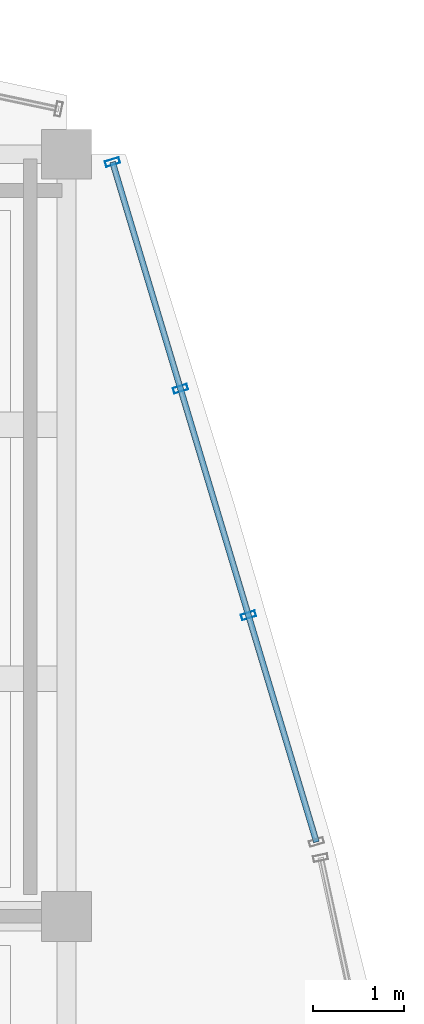
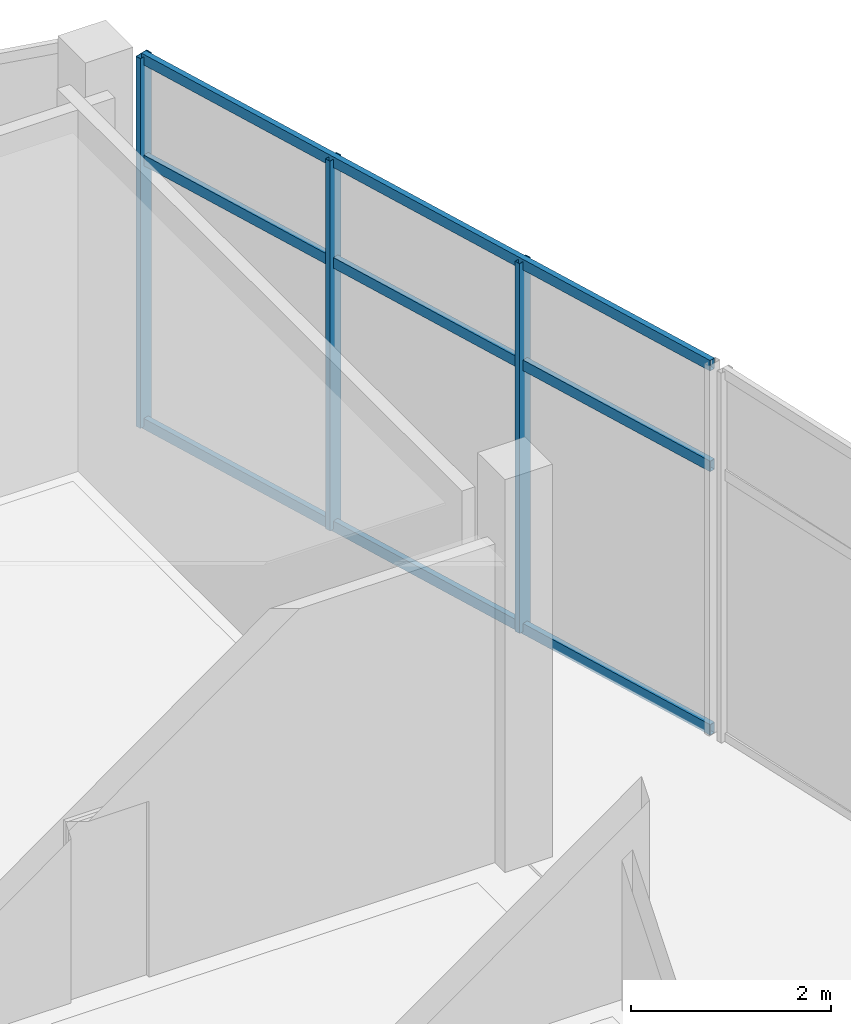
# One storey, part 106 of 157: 6 members, 1 element without a shape of its own.
"""IFC4 building model written with IfcOpenShell, lengths in metres."""

import ifcopenshell
import ifcopenshell.guid

model = None  # the IFC model being written
_history = None  # IfcOwnerHistory: only IFC2X3 demands one
_inside = {}  # id of a spatial element -> (the spatial element, [elements in it])
_under = {}  # id of a project, library or spatial element -> (it, [spatial elements below it])
_declared = {}  # id of a project -> (the project, [libraries it declares])
_typed = {}  # id of a type object -> (the type object, [elements of that type])
_made_of = {}  # id of a material, layer set ... -> (it, [elements and type objects made of it])


def new_model(schema):
    """Start an empty IFC model of exactly this schema.

    Asked for "IFC4X3", IfcOpenShell would pick the latest addendum, in which some entities
    have other attributes; the version numbers below select the first issue.
    IFC2X3 requires an IfcOwnerHistory on every rooted entity: one is made here for all.
    """
    global model, _history
    if schema == "IFC4X3":
        model = ifcopenshell.file(schema_version=(4, 3, 0, 0))
    else:
        model = ifcopenshell.file(schema=schema)
    _inside.clear()
    _under.clear()
    _declared.clear()
    _typed.clear()
    _made_of.clear()
    _history = None
    if model.schema == "IFC2X3":
        org = make("IfcOrganization", Name="unknown")
        user = make(
            "IfcPersonAndOrganization",
            ThePerson=make("IfcPerson", FamilyName="unknown"),
            TheOrganization=org,
        )
        app = make(
            "IfcApplication",
            ApplicationDeveloper=org,
            Version="unknown",
            ApplicationFullName="unknown",
            ApplicationIdentifier="unknown",
        )
        _history = make(
            "IfcOwnerHistory",
            OwningUser=user,
            OwningApplication=app,
            ChangeAction="ADDED",
            CreationDate=0,
        )
    return model


def make(cls, **values):
    """One entity of the class cls with the attributes given. An attribute that is None is left unset."""
    return model.create_entity(
        cls, **{name: value for name, value in values.items() if value is not None}
    )


def rooted(cls, **values):
    """An entity with a GlobalId (a new one), such as an element, a storey or a relation."""
    return make(cls, GlobalId=ifcopenshell.guid.new(), OwnerHistory=_history, **values)


def si_unit(unit_type, name, prefix=None):
    """IfcSIUnit, for example si_unit("LENGTHUNIT", "METRE", prefix="MILLI")."""
    return make("IfcSIUnit", UnitType=unit_type, Prefix=prefix, Name=name)


def assignment(units):
    """IfcUnitAssignment: the units of a project."""
    return None if units is None else make("IfcUnitAssignment", Units=units)


def point(xyz):
    """IfcCartesianPoint."""
    return None if xyz is None else make("IfcCartesianPoint", Coordinates=xyz)


def direction(xyz):
    """IfcDirection."""
    return None if xyz is None else make("IfcDirection", DirectionRatios=xyz)


def frame(location, z_axis=None, x_axis=None):
    """IfcAxis2Placement3D, a coordinate frame: its origin and axes. An axis left out is left unset."""
    return make(
        "IfcAxis2Placement3D",
        Location=point(location),
        Axis=direction(z_axis),
        RefDirection=direction(x_axis),
    )


def frame_2d(location, x_axis=None):
    """IfcAxis2Placement2D, a coordinate frame in the plane: its origin and x axis."""
    return make(
        "IfcAxis2Placement2D", Location=point(location), RefDirection=direction(x_axis)
    )


def origin():
    """The frame at (0, 0, 0) with its axes left unset."""
    return frame((0.0, 0.0, 0.0))


def origin_2d():
    """The frame at (0, 0) in the plane with its x axis left unset."""
    return frame_2d((0.0, 0.0))


def place(relative_to, where):
    """IfcLocalPlacement: puts the frame where relative to a parent placement (None: the world)."""
    return make(
        "IfcLocalPlacement", PlacementRelTo=relative_to, RelativePlacement=where
    )


def context(
    kind, dimensions, precision=None, world=None, true_north=None, identifier=None
):
    """IfcGeometricRepresentationContext, for example the 3D "Model" context."""
    return make(
        "IfcGeometricRepresentationContext",
        ContextIdentifier=identifier,
        ContextType=kind,
        CoordinateSpaceDimension=dimensions,
        Precision=precision,
        WorldCoordinateSystem=world,
        TrueNorth=true_north,
    )


def subcontext(parent, identifier, kind, view, scale=None):
    """IfcGeometricRepresentationSubContext, for example "Body" below "Model"."""
    return make(
        "IfcGeometricRepresentationSubContext",
        ContextIdentifier=identifier,
        ContextType=kind,
        ParentContext=parent,
        TargetScale=scale,
        TargetView=view,
    )


def project(units=None, contexts=None):
    """IfcProject with its units and contexts."""
    return rooted(
        "IfcProject",
        Name="project",
        RepresentationContexts=contexts,
        UnitsInContext=assignment(units),
    )


def spatial(cls, under=None, at=None, **own):
    """A site, building, storey or space (cls), placed at a placement, below another one or the project."""
    s = rooted(cls, ObjectPlacement=at, **own)
    if under is not None:
        _under.setdefault(under.id(), (under, []))[1].append(s)
    return s


def profile(cls, at=None, kind="AREA", **sizes):
    """A parametric profile (cls). Its sizes go by their IFC names, for example OverallWidth=200.0."""
    return make(cls, ProfileType=kind, Position=at, **sizes)


def hollow_rectangle(**sizes):
    """IfcRectangleHollowProfileDef."""
    return profile("IfcRectangleHollowProfileDef", **sizes)


def extrude(swept, where, along, depth):
    """IfcExtrudedAreaSolid: the profile swept, set in the frame where, extruded along a direction by depth."""
    return make(
        "IfcExtrudedAreaSolid",
        SweptArea=swept,
        Position=where,
        ExtrudedDirection=direction(along),
        Depth=depth,
    )


def shape(context_of_items, identifier, shape_type, items):
    """IfcShapeRepresentation: the items that make up one representation, for example the "Body"."""
    return make(
        "IfcShapeRepresentation",
        ContextOfItems=context_of_items,
        RepresentationIdentifier=identifier,
        RepresentationType=shape_type,
        Items=items,
    )


def material(Name=None, Category=None):
    """IfcMaterial."""
    return make("IfcMaterial", Name=Name, Category=Category)


def layer(
    of_material, thickness, ventilated=None, Name=None, Category=None, Priority=None
):
    """IfcMaterialLayer: one layer of a wall or slab, of a material (None: an air gap)."""
    return make(
        "IfcMaterialLayer",
        Material=of_material,
        LayerThickness=thickness,
        IsVentilated=ventilated,
        Name=Name,
        Category=Category,
        Priority=Priority,
    )


def layer_set(layers, Name=None):
    """IfcMaterialLayerSet."""
    return make("IfcMaterialLayerSet", MaterialLayers=layers, LayerSetName=Name)


def material_profile(
    of_material, cross_section, Name=None, Category=None, Priority=None
):
    """IfcMaterialProfile: a cross section and its material."""
    return make(
        "IfcMaterialProfile",
        Name=Name,
        Material=of_material,
        Profile=cross_section,
        Priority=Priority,
        Category=Category,
    )


def profile_set(profiles, Name=None, composite=None):
    """IfcMaterialProfileSet."""
    return make(
        "IfcMaterialProfileSet",
        Name=Name,
        MaterialProfiles=profiles,
        CompositeProfile=composite,
    )


def made_of(thing, what):
    """Note that an element or type object is made of a material, layer set ...; save() writes the relation."""
    if what is not None:
        _made_of.setdefault(what.id(), (what, []))[1].append(thing)
    return thing


def type_object(cls, material=None, **own):
    """A type object (cls), such as IfcWallType, which elements share."""
    return made_of(rooted(cls, **own), material)


def element(
    cls,
    number,
    at=None,
    inside=None,
    cuts=None,
    type_object=None,
    material=None,
    context=None,
    identifier="Body",
    shape_type=None,
    held_by="IfcProductDefinitionShape",
    body=None,
    shapes=None,
    **own,
):
    """One element of the class cls, such as IfcWall. Its Tag is "e" and its number.

    at: its placement. inside: the storey or other place that contains it. cuts: it is an
    opening in that element (IfcRelVoidsElement). A single representation is given by context,
    identifier, shape_type and body (its items); several are given by shapes. held_by: the class
    of the entity that holds the representations. save() writes the other relations.
    """
    e = rooted(cls, Tag="e%d" % number, ObjectPlacement=at, **own)
    if body is not None:
        shapes = [shape(context, identifier, shape_type, body)]
    if shapes is not None:
        e.Representation = make(held_by, Representations=shapes)
    if inside is not None:
        _inside.setdefault(inside.id(), (inside, []))[1].append(e)
    if cuts is not None:
        rooted(
            "IfcRelVoidsElement", RelatingBuildingElement=cuts, RelatedOpeningElement=e
        )
    if type_object is not None:
        _typed.setdefault(type_object.id(), (type_object, []))[1].append(e)
    return made_of(e, material)


def aggregate(whole, parts):
    """IfcRelAggregates: a whole, such as a stair, and the parts it consists of."""
    return rooted("IfcRelAggregates", RelatingObject=whole, RelatedObjects=parts)


def save(model, path):
    """Write the relations noted so far, then the file.

    IfcRelAggregates (storeys below a building ...), IfcRelContainedInSpatialStructure (elements
    in a storey), IfcRelDefinesByType, IfcRelAssociatesMaterial and IfcRelDeclares: one each for
    every whole, place, type object, material and project.
    """
    for whole, parts in _under.values():
        aggregate(whole, parts)
    for where, things in _inside.values():
        rooted(
            "IfcRelContainedInSpatialStructure",
            RelatedElements=things,
            RelatingStructure=where,
        )
    for kind, things in _typed.values():
        rooted("IfcRelDefinesByType", RelatedObjects=things, RelatingType=kind)
    for what, things in _made_of.values():
        rooted("IfcRelAssociatesMaterial", RelatedObjects=things, RelatingMaterial=what)
    for by, libraries in _declared.values():
        rooted("IfcRelDeclares", RelatingContext=by, RelatedDefinitions=libraries)
    model.write(path)


model = new_model("IFC4")

# Units and contexts
model_context = context("Model", 3, precision=1e-05, world=origin(), true_north=direction((0.0, 1.0)))
body_context = subcontext(model_context, "Body", "Model", "MODEL_VIEW")
ifc_project = project(units=[si_unit("LENGTHUNIT", "METRE"), si_unit("AREAUNIT", "SQUARE_METRE"), si_unit("VOLUMEUNIT", "CUBIC_METRE"), si_unit("PLANEANGLEUNIT", "RADIAN"), si_unit("MASSUNIT", "GRAM", prefix="KILO")], contexts=[model_context])

# Site, building, storey
site_placement = place(None, origin())
site = spatial("IfcSite", under=ifc_project, at=site_placement, CompositionType="ELEMENT")
building_placement = place(site_placement, origin())
building = spatial("IfcBuilding", under=site, at=building_placement, Name="Chalmorin Arch Market", CompositionType="ELEMENT")
storey_placement = place(building_placement, frame((0.0, 0.0, 4.800048828125)))
storey = spatial("IfcBuildingStorey", under=building, at=storey_placement, Name="L01", CompositionType="ELEMENT", Elevation=4.800048828125)

# Curtain wall, members
ifc_material = material(Name="Aluminium 6063-T6", Category="aluminium")
ifc_layer = layer(ifc_material, 0.159912109375)
ifc_layer_set = layer_set([ifc_layer], Name="Aluminium 6063-T6")
curtain_wall_type = type_object("IfcCurtainWallType", Name="CulinaryStudioCurtainWall-CW3-7820x4520", PredefinedType="NOTDEFINED", material=ifc_layer_set)
curtain_wall_placement = place(storey_placement, origin())
curtain_wall = element("IfcCurtainWall", 1, at=curtain_wall_placement, inside=storey, type_object=curtain_wall_type, Name="CW-03-189", PredefinedType="NOTDEFINED")
ifc_material_profile_1 = material_profile(ifc_material, hollow_rectangle(XDim=0.06494140625, YDim=0.159912109375, WallThickness=0.00390625, at=origin_2d()), Name="ALU65X160X4")
ifc_profile_set_1 = profile_set([ifc_material_profile_1], Name="Aluminium 6063-T6")
member_type_1 = type_object("IfcMemberType", Name="CurtainWallMullion-65x160", PredefinedType="MULLION", material=ifc_profile_set_1)
member_1_placement = place(storey_placement, frame((117.20458984375, 112.91748046875, 0.0), z_axis=(0.0, 0.0, 1.0), x_axis=(-0.292371704723, 0.956304755963, 0.0)))
member_1 = element("IfcMember", 2, at=member_1_placement, type_object=member_type_1, Name="ML-189-02", PredefinedType="MULLION", context=body_context, shape_type="SweptSolid", body=[
    extrude(hollow_rectangle(XDim=0.06494140625, YDim=0.159912109375, WallThickness=0.00390625, at=origin_2d()), origin(), (0.0, 0.0, 1.0), 4.52001953125),
])
member_2_placement = place(storey_placement, frame((116.455322265625, 115.41552734375, 0.0), z_axis=(0.0, 0.0, 1.0), x_axis=(-0.292371704723, 0.956304755963, 0.0)))
member_2 = element("IfcMember", 3, at=member_2_placement, type_object=member_type_1, Name="ML-189-03", PredefinedType="MULLION", context=body_context, shape_type="SweptSolid", body=[
    extrude(hollow_rectangle(XDim=0.06494140625, YDim=0.159912109375, WallThickness=0.00390625, at=origin_2d()), origin(), (0.0, 0.0, 1.0), 4.52001953125),
])
member_3_placement = place(storey_placement, frame((115.705810546875, 117.913818359375, 0.0), z_axis=(0.0, 0.0, 1.0), x_axis=(-0.292371704723, 0.956304755963, 0.0)))
member_3 = element("IfcMember", 4, at=member_3_placement, type_object=member_type_1, Name="ML-189-04", PredefinedType="MULLION", context=body_context, shape_type="SweptSolid", body=[
    extrude(hollow_rectangle(XDim=0.06494140625, YDim=0.159912109375, WallThickness=0.00390625, at=origin_2d()), origin(), (0.0, 0.0, 1.0), 4.52001953125),
])
ifc_material_profile_2 = material_profile(ifc_material, hollow_rectangle(XDim=0.06494140625, YDim=0.1298828125, WallThickness=0.00390625, at=origin_2d()), Name="ALU65X130X4")
ifc_profile_set_2 = profile_set([ifc_material_profile_2], Name="Aluminium 6063-T6")
member_type_2 = type_object("IfcMemberType", Name="CurtainWallTransom-65x130", PredefinedType="USERDEFINED", material=ifc_profile_set_2)
member_4_placement = place(storey_placement, frame((117.9541015625, 110.419189453125, 0.034912109375), z_axis=(-0.287336435381, 0.957829720202, 0.0), x_axis=(-0.957829720202, -0.287336435381, 0.0)))
member_4 = element("IfcMember", 5, at=member_4_placement, type_object=member_type_2, Name="TR-189-01", ObjectType="TRANSOM", PredefinedType="USERDEFINED", context=body_context, shape_type="SweptSolid", body=[
    extrude(hollow_rectangle(XDim=0.06494140625, YDim=0.1298828125, WallThickness=0.00390625, at=origin_2d()), origin(), (0.0, 0.0, 1.0), 7.82470703125),
])
member_5_placement = place(storey_placement, frame((117.9541015625, 110.419189453125, 3.25439453125), z_axis=(-0.287336435381, 0.957829720202, 0.0), x_axis=(-0.957829720202, -0.287336435381, 0.0)))
member_5 = element("IfcMember", 6, at=member_5_placement, type_object=member_type_2, Name="TR-189-02", ObjectType="TRANSOM", PredefinedType="USERDEFINED", context=body_context, shape_type="SweptSolid", body=[
    extrude(hollow_rectangle(XDim=0.06494140625, YDim=0.1298828125, WallThickness=0.00390625, at=origin_2d()), origin(), (0.0, 0.0, 1.0), 7.82470703125),
])
member_6_placement = place(storey_placement, frame((117.9541015625, 110.419189453125, 4.48486328125), z_axis=(-0.287336435381, 0.957829720202, 0.0), x_axis=(-0.957829720202, -0.287336435381, 0.0)))
member_6 = element("IfcMember", 7, at=member_6_placement, type_object=member_type_2, Name="TR-189-03", ObjectType="TRANSOM", PredefinedType="USERDEFINED", context=body_context, shape_type="SweptSolid", body=[
    extrude(hollow_rectangle(XDim=0.06494140625, YDim=0.1298828125, WallThickness=0.00390625, at=origin_2d()), origin(), (0.0, 0.0, 1.0), 7.82470703125),
])
aggregate(curtain_wall, [member_1, member_2, member_3, member_4, member_5, member_6])

save(model, "model.ifc")
